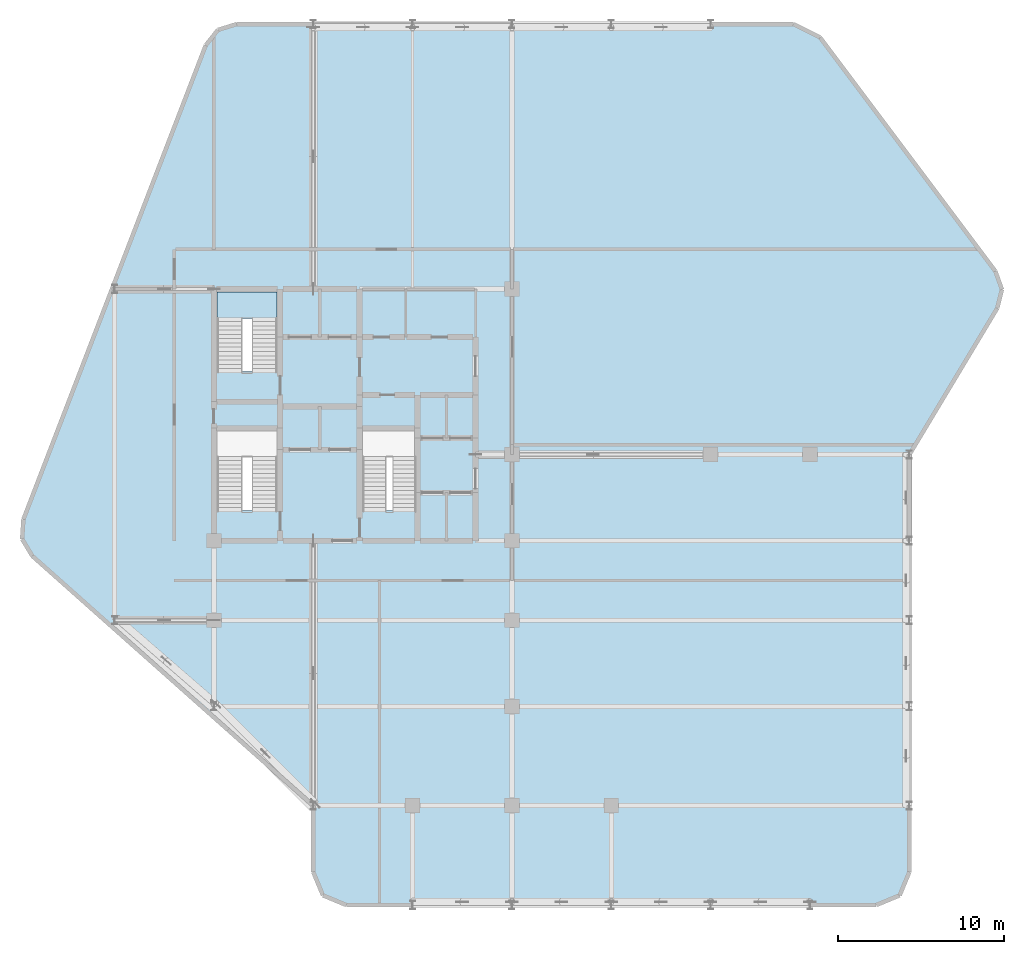
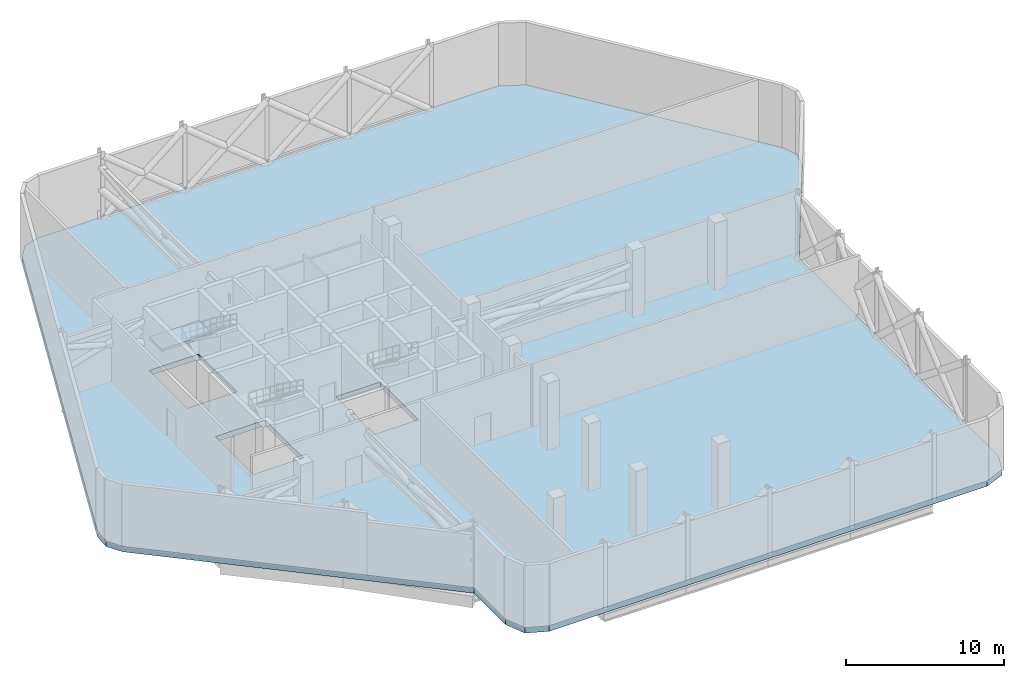
# One storey, part 7 of 12: 2 slabs, 1 element without a shape of its own.
"""IFC4 building model written with IfcOpenShell, lengths in metres."""

from ifc_helpers import new_model, si_unit, direction, frame, origin, place, context, subcontext, project, spatial, polyline, outline, extrude, material, layer, layer_set, type_object, element, aggregate, save


model = new_model("IFC4")

# Units and contexts
model_context = context("Model", 3, precision=1e-05, world=origin(), true_north=direction((0.0, 1.0)))
body_context = subcontext(model_context, "Body", "Model", "MODEL_VIEW")
ifc_project = project(units=[si_unit("LENGTHUNIT", "METRE"), si_unit("AREAUNIT", "SQUARE_METRE"), si_unit("VOLUMEUNIT", "CUBIC_METRE"), si_unit("PLANEANGLEUNIT", "RADIAN"), si_unit("MASSUNIT", "GRAM", prefix="KILO")], contexts=[model_context])

# Site, building, storey
site_placement = place(None, origin())
site = spatial("IfcSite", under=ifc_project, at=site_placement, CompositionType="ELEMENT")
building_placement = place(site_placement, origin())
building = spatial("IfcBuilding", under=site, at=building_placement, Name="Keshet Zoharim Tower", CompositionType="ELEMENT")
storey_placement = place(building_placement, frame((0.0, 0.0, 159.39990234375)))
storey = spatial("IfcBuildingStorey", under=building, at=storey_placement, Name="L39", CompositionType="ELEMENT", Elevation=159.39990234375)

# Stair, slab
ifc_material_1 = material(Name="Concrete C50/60", Category="concrete")
stair_type = type_object("IfcStairType", Name="STR-EXIT-135", PredefinedType="HALF_TURN_STAIR", material=ifc_material_1)
stair_placement = place(storey_placement, origin())
stair = element("IfcStair", 1, at=stair_placement, inside=storey, type_object=stair_type, Name="L39 Enclosed Exit Stair ST-02", PredefinedType="HALF_TURN_STAIR")
ifc_layer_1 = layer(ifc_material_1, 0.199951171875)
ifc_layer_set_1 = layer_set([ifc_layer_1], Name="Concrete C50/60")
slab_type_1 = type_object("IfcSlabType", Name="SLB-LND-200", PredefinedType="LANDING", material=ifc_layer_set_1)
slab_1_placement = place(storey_placement, frame((0.0, 0.0, 2.400146484375)))
slab_1 = element("IfcSlab", 2, at=slab_1_placement, type_object=slab_type_1, Name="ST-02 landing 1", PredefinedType="LANDING", context=body_context, shape_type="SweptSolid", body=[
    extrude(outline(polyline([(15.179931640625, 36.114013671875), (18.820068359375, 36.114013671875), (18.820068359375, 37.719970703125), (15.179931640625, 37.719970703125), (15.179931640625, 36.114013671875)])), origin(), (0.0, 0.0, 1.0), 0.199951171875),
])
aggregate(stair, [slab_1])

# Slab
ifc_material_2 = material(Name="Concrete C60/75", Category="concrete")
ifc_layer_2 = layer(ifc_material_2, 0.419921875)
ifc_layer_set_2 = layer_set([ifc_layer_2], Name="Concrete C60/75")
slab_type_2 = type_object("IfcSlabType", Name="SLB-XFER-350", PredefinedType="FLOOR", material=ifc_layer_set_2)
slab_2_placement = place(storey_placement, frame((0.0, 0.0, -0.419921875)))
element("IfcSlab", 3, at=slab_2_placement, inside=storey, type_object=slab_type_2, Name="L39 Structural Floor Slab 1", PredefinedType="FLOOR", context=body_context, shape_type="SweptSolid", body=[
    extrude(outline(polyline([(57.0, 2.699951171875), (56.4140625, 1.285888671875), (55.0, 0.699951171875), (23.0, 0.699951171875), (21.5859375, 1.285888671875), (21.0, 2.699951171875), (21.0, 6.699951171875), (4.034912109375, 21.780029296875), (3.419921875, 22.802001953125), (3.4970703125, 23.992919921875), (14.507080078125, 52.617919921875), (15.240966796875, 53.549072265625), (16.3740234375, 53.89990234375), (50.0, 53.89990234375), (51.60009765625, 53.10009765625), (62.193115234375, 38.97607421875), (62.590087890625, 37.87890625), (62.30810546875, 36.7470703125), (57.0, 27.89990234375), (57.0, 2.699951171875)]), holes=[polyline([(15.179931640625, 24.52001953125), (18.820068359375, 24.52001953125), (18.820068359375, 29.320068359375), (15.179931640625, 29.320068359375), (15.179931640625, 24.52001953125)]), polyline([(15.179931640625, 32.919921875), (18.820068359375, 32.919921875), (18.820068359375, 37.719970703125), (15.179931640625, 37.719970703125), (15.179931640625, 32.919921875)]), polyline([(23.97998046875, 24.52001953125), (27.219970703125, 24.52001953125), (27.219970703125, 29.320068359375), (23.97998046875, 29.320068359375), (23.97998046875, 24.52001953125)])]), origin(), (0.0, 0.0, 1.0), 0.419921875),
])

save(model, "model.ifc")
